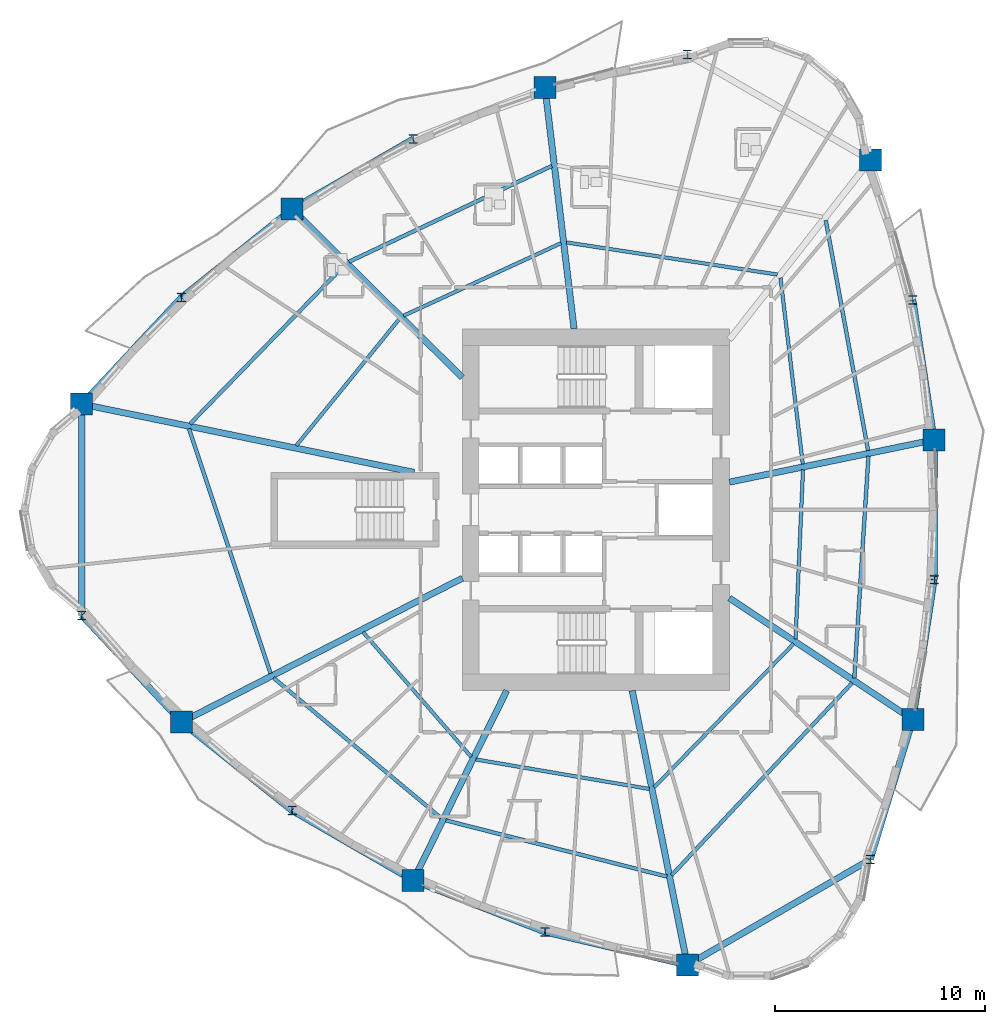
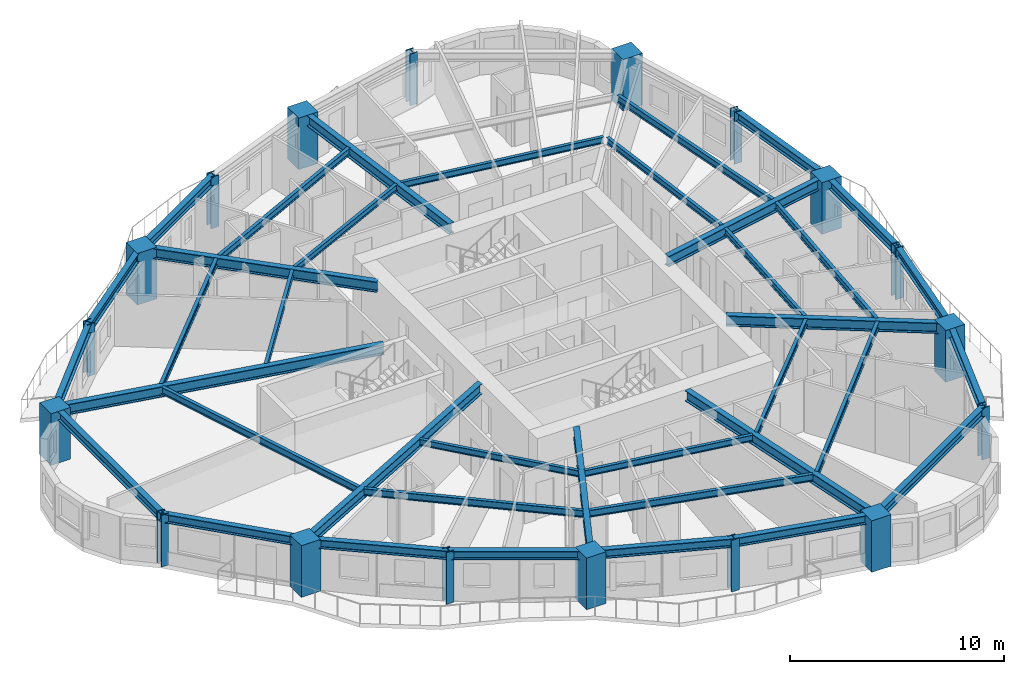
# One storey, part 1 of 14: 38 beams, 18 columns.
"""IFC4 building model written with IfcOpenShell, lengths in metres."""

from ifc_helpers import new_model, si_unit, direction, frame, origin, origin_2d, place, context, subcontext, project, spatial, rectangle, i_section, extrude, source, transform, mapped, material, material_profile, profile_set, type_object, element, save


model = new_model("IFC4")

# Units and contexts
model_context = context("Model", 3, precision=1e-05, world=origin(), true_north=direction((0.0, 1.0)))
body_context = subcontext(model_context, "Body", "Model", "MODEL_VIEW")
ifc_project = project(units=[si_unit("LENGTHUNIT", "METRE"), si_unit("AREAUNIT", "SQUARE_METRE"), si_unit("VOLUMEUNIT", "CUBIC_METRE"), si_unit("PLANEANGLEUNIT", "RADIAN"), si_unit("MASSUNIT", "GRAM", prefix="KILO")], contexts=[model_context])

# Site, building, storey
site_placement = place(None, origin())
site = spatial("IfcSite", under=ifc_project, at=site_placement, CompositionType="ELEMENT")
building_placement = place(site_placement, origin())
building = spatial("IfcBuilding", under=site, at=building_placement, Name="Qafzar Sky-Pleat Residences", CompositionType="ELEMENT")
storey_placement = place(building_placement, frame((0.0, 0.0, 14.199951171875)))
storey = spatial("IfcBuildingStorey", under=building, at=storey_placement, Name="L03", CompositionType="ELEMENT", Elevation=14.199951171875)

# Columns
ifc_material_1 = material(Name="Concrete C60/75", Category="concrete")
ifc_material_profile_1 = material_profile(ifc_material_1, rectangle(XDim=1.050048828125, YDim=1.050048828125, at=origin_2d()), Name="RC 1050x1050")
ifc_profile_set_1 = profile_set([ifc_material_profile_1], Name="Concrete C60/75")
column_type_1 = type_object("IfcColumnType", Name="COL-RC-1050", PredefinedType="COLUMN", material=ifc_profile_set_1)
shared_shape_1 = source(origin(), body_context, "Body", "SweptSolid", [
    extrude(rectangle(XDim=1.050048828125, YDim=1.050048828125, at=origin_2d()), origin(), (0.0, 0.0, 1.0), 2.93994140625),
])
for number, where, z_axis, x_axis, name in (
    (1, (5.89990234375, 31.02294921875, 0.0), (0.0, 0.0, 1.0), (1.0, 0.0, 0.0), "L03 Perimeter Mega Column 1"),
    (2, (10.64892578125, 15.900390625, 0.0), (0.0, 0.0, 1.0), (1.0, 0.0, 0.0), "L03 Perimeter Mega Column 3"),
    (3, (21.66357421875, 8.373779296875, 0.0), (0.0, 0.0, 1.0), (1.0, 0.0, 0.0), "L03 Perimeter Mega Column 5"),
    (4, (34.699951171875, 4.349365234375, 0.0), (0.0, 0.0, 1.0), (1.0, 0.0, 0.0), "L03 Perimeter Mega Column 7"),
    (5, (45.421875, 16.0234375, 0.0), (0.0, 0.0, 1.0), (1.0, 0.0, 0.0), "L03 Perimeter Mega Column 9"),
    (6, (46.432861328125, 29.325439453125, 0.0), (0.0, 0.0, 1.0), (1.0, 0.0, 0.0), "L03 Perimeter Mega Column 11"),
    (7, (43.39990234375, 42.627685546875, 0.0), (0.0, 0.0, 1.0), (1.0, 0.0, 0.0), "L03 Perimeter Mega Column 13"),
    (8, (27.928955078125, 46.076171875, 0.0), (0.0, 0.0, 1.0), (1.0, 0.0, 0.0), "L03 Perimeter Mega Column 15"),
    (9, (15.903564453125, 40.300537109375, 0.0), (0.0, 0.0, 1.0), (1.0, 0.0, 0.0), "L03 Perimeter Mega Column 17"),
):
    element("IfcColumn", number, at=place(storey_placement, frame(where, z_axis=z_axis, x_axis=x_axis)), inside=storey, type_object=column_type_1, Name=name, PredefinedType="COLUMN", context=body_context, shape_type="MappedRepresentation", body=[
        mapped(shared_shape_1, transform((0.0, 0.0, 0.0), x_axis=(1.0, 0.0, 0.0), y_axis=(0.0, 1.0, 0.0), z_axis=(0.0, 0.0, 1.0), scale=1.0)),
    ])
ifc_material_2 = material(Name="Steel S460", Category="steel")
ifc_material_profile_2 = material_profile(ifc_material_2, i_section(OverallWidth=0.408935546875, OverallDepth=0.425048828125, WebThickness=0.030029296875, FlangeThickness=0.048095703125, FilletRadius=0.014892578125, at=origin_2d()), Name="HD 400x421")
ifc_profile_set_2 = profile_set([ifc_material_profile_2], Name="Steel S460")
column_type_2 = type_object("IfcColumnType", Name="COL-STL-HD421", PredefinedType="PILASTER", material=ifc_profile_set_2)
shared_shape_2 = source(origin(), body_context, "Body", "SweptSolid", [
    extrude(i_section(OverallWidth=0.408935546875, OverallDepth=0.425048828125, WebThickness=0.030029296875, FlangeThickness=0.048095703125, FilletRadius=0.014892578125, at=origin_2d()), origin(), (0.0, 0.0, 1.0), 2.93994140625),
])
for number, where, z_axis, x_axis, name in (
    (10, (5.89990234375, 20.97705078125, 0.0), (0.0, 0.0, 1.0), (1.0, 0.0, 0.0), "L03 Perimeter Mega Column 2"),
    (11, (15.903564453125, 11.699462890625, 0.0), (0.0, 0.0, 1.0), (1.0, 0.0, 0.0), "L03 Perimeter Mega Column 4"),
    (12, (27.928955078125, 5.923828125, 0.0), (0.0, 0.0, 1.0), (1.0, 0.0, 0.0), "L03 Perimeter Mega Column 6"),
    (13, (43.39990234375, 9.372314453125, 0.0), (0.0, 0.0, 1.0), (1.0, 0.0, 0.0), "L03 Perimeter Mega Column 8"),
    (14, (46.432861328125, 22.674560546875, 0.0), (0.0, 0.0, 1.0), (1.0, 0.0, 0.0), "L03 Perimeter Mega Column 10"),
    (15, (45.421875, 35.9765625, 0.0), (0.0, 0.0, 1.0), (1.0, 0.0, 0.0), "L03 Perimeter Mega Column 12"),
    (16, (34.699951171875, 47.650634765625, 0.0), (0.0, 0.0, 1.0), (1.0, 0.0, 0.0), "L03 Perimeter Mega Column 14"),
    (17, (21.66357421875, 43.626220703125, 0.0), (0.0, 0.0, 1.0), (1.0, 0.0, 0.0), "L03 Perimeter Mega Column 16"),
    (18, (10.64892578125, 36.099609375, 0.0), (0.0, 0.0, 1.0), (1.0, 0.0, 0.0), "L03 Perimeter Mega Column 18"),
):
    element("IfcColumn", number, at=place(storey_placement, frame(where, z_axis=z_axis, x_axis=x_axis)), inside=storey, type_object=column_type_2, Name=name, PredefinedType="PILASTER", context=body_context, shape_type="MappedRepresentation", body=[
        mapped(shared_shape_2, transform((0.0, 0.0, 0.0), x_axis=(1.0, 0.0, 0.0), y_axis=(0.0, 1.0, 0.0), z_axis=(0.0, 0.0, 1.0), scale=1.0)),
    ])

# Beams
ifc_material_3 = material(Name="Steel S355", Category="steel")
ifc_material_profile_3 = material_profile(ifc_material_3, i_section(OverallWidth=0.300048828125, OverallDepth=0.5, WebThickness=0.014404296875, FlangeThickness=0.028076171875, FilletRadius=0.027099609375, at=origin_2d()), Name="HEB 500")
ifc_profile_set_3 = profile_set([ifc_material_profile_3], Name="Steel S355")
beam_type_1 = type_object("IfcBeamType", Name="BM-SPAN-HEB500", PredefinedType="SPANDREL", material=ifc_profile_set_3)
shared_shape_3 = source(origin(), body_context, "Body", "SweptSolid", [
    extrude(i_section(OverallWidth=0.300048828125, OverallDepth=0.5, WebThickness=0.014404296875, FlangeThickness=0.028076171875, FilletRadius=0.027099609375, at=origin_2d()), origin(), (0.0, 0.0, 1.0), 10.0458984375),
])
for number, where, z_axis, x_axis, name in (
    (19, (5.89990234375, 31.02294921875, 2.68798828125), (0.0, -1.0, 0.0), (1.0, 0.0, 0.0), "L03 Perimeter Spandrel Beam 1"),
    (20, (34.699951171875, 4.349365234375, 2.68798828125), (0.866024107753, 0.500002244785, 0.0), (-0.500002244785, 0.866024107753, 0.0), "L03 Perimeter Spandrel Beam 7"),
):
    element("IfcBeam", number, at=place(storey_placement, frame(where, z_axis=z_axis, x_axis=x_axis)), inside=storey, type_object=beam_type_1, Name=name, PredefinedType="SPANDREL", context=body_context, shape_type="MappedRepresentation", body=[
        mapped(shared_shape_3, transform((0.0, 0.0, 0.0), x_axis=(1.0, 0.0, 0.0), y_axis=(0.0, 1.0, 0.0), z_axis=(0.0, 0.0, 1.0), scale=1.0)),
    ])
shared_shape_4 = source(origin(), body_context, "Body", "SweptSolid", [
    extrude(i_section(OverallWidth=0.300048828125, OverallDepth=0.5, WebThickness=0.014404296875, FlangeThickness=0.028076171875, FilletRadius=0.027099609375, at=origin_2d()), origin(), (0.0, 0.0, 1.0), 6.95166015625),
])
for number, where, z_axis, x_axis, name in (
    (21, (5.89990234375, 20.97705078125, 2.68798828125), (0.683148670375, -0.730279326125, 0.0), (0.730279326125, 0.683148670375, 0.0), "L03 Perimeter Spandrel Beam 2"),
    (22, (27.928955078125, 5.923828125, 2.68798828125), (0.974013973113, -0.226487925024, 0.0), (0.226487925024, 0.974013973113, 0.0), "L03 Perimeter Spandrel Beam 6"),
    (23, (43.39990234375, 9.372314453125, 2.68798828125), (0.290861139852, 0.956765278072, 0.0), (-0.956765278072, 0.290861139852, 0.0), "L03 Perimeter Spandrel Beam 8"),
    (24, (10.64892578125, 36.099609375, 2.68798828125), (-0.683148670375, -0.730279326125, 0.0), (0.730279326125, -0.683148670375, 0.0), "L03 Perimeter Spandrel Beam 18"),
):
    element("IfcBeam", number, at=place(storey_placement, frame(where, z_axis=z_axis, x_axis=x_axis)), inside=storey, type_object=beam_type_1, Name=name, PredefinedType="SPANDREL", context=body_context, shape_type="MappedRepresentation", body=[
        mapped(shared_shape_4, transform((0.0, 0.0, 0.0), x_axis=(1.0, 0.0, 0.0), y_axis=(0.0, 1.0, 0.0), z_axis=(0.0, 0.0, 1.0), scale=1.0)),
    ])
shared_shape_5 = source(origin(), body_context, "Body", "SweptSolid", [
    extrude(i_section(OverallWidth=0.300048828125, OverallDepth=0.5, WebThickness=0.014404296875, FlangeThickness=0.028076171875, FilletRadius=0.027099609375, at=origin_2d()), origin(), (0.0, 0.0, 1.0), 6.7275390625),
])
for number, where, z_axis, x_axis, name in (
    (25, (10.64892578125, 15.900390625, 2.68798828125), (0.781070576736, -0.624442754908, 0.0), (0.624442754908, 0.781070576736, 0.0), "L03 Perimeter Spandrel Beam 3"),
    (26, (45.421875, 16.0234375, 2.68798828125), (0.150276218199, 0.988644050325, 0.0), (-0.988644050325, 0.150276218199, 0.0), "L03 Perimeter Spandrel Beam 9"),
    (27, (46.432861328125, 29.325439453125, 2.68798828125), (-0.150276218199, 0.988644050325, 0.0), (-0.988644050325, -0.150276218199, 0.0), "L03 Perimeter Spandrel Beam 11"),
    (28, (15.903564453125, 40.300537109375, 2.68798828125), (-0.781070576736, -0.624442754908, 0.0), (0.624442754908, -0.781070576736, 0.0), "L03 Perimeter Spandrel Beam 17"),
):
    element("IfcBeam", number, at=place(storey_placement, frame(where, z_axis=z_axis, x_axis=x_axis)), inside=storey, type_object=beam_type_1, Name=name, PredefinedType="SPANDREL", context=body_context, shape_type="MappedRepresentation", body=[
        mapped(shared_shape_5, transform((0.0, 0.0, 0.0), x_axis=(1.0, 0.0, 0.0), y_axis=(0.0, 1.0, 0.0), z_axis=(0.0, 0.0, 1.0), scale=1.0)),
    ])
shared_shape_6 = source(origin(), body_context, "Body", "SweptSolid", [
    extrude(i_section(OverallWidth=0.300048828125, OverallDepth=0.5, WebThickness=0.014404296875, FlangeThickness=0.028076171875, FilletRadius=0.027099609375, at=origin_2d()), origin(), (0.0, 0.0, 1.0), 6.651123046875),
])
for number, where, z_axis, x_axis, name in (
    (29, (15.903564453125, 11.699462890625, 2.68798828125), (0.866016262799, -0.500015832317, 0.0), (0.500015832317, 0.866016262799, 0.0), "L03 Perimeter Spandrel Beam 4"),
    (30, (21.66357421875, 43.626220703125, 2.68798828125), (-0.866016262799, -0.500015832317, 0.0), (0.500015832317, -0.866016262799, 0.0), "L03 Perimeter Spandrel Beam 16"),
):
    element("IfcBeam", number, at=place(storey_placement, frame(where, z_axis=z_axis, x_axis=x_axis)), inside=storey, type_object=beam_type_1, Name=name, PredefinedType="SPANDREL", context=body_context, shape_type="MappedRepresentation", body=[
        mapped(shared_shape_6, transform((0.0, 0.0, 0.0), x_axis=(1.0, 0.0, 0.0), y_axis=(0.0, 1.0, 0.0), z_axis=(0.0, 0.0, 1.0), scale=1.0)),
    ])
shared_shape_7 = source(origin(), body_context, "Body", "SweptSolid", [
    extrude(i_section(OverallWidth=0.300048828125, OverallDepth=0.5, WebThickness=0.014404296875, FlangeThickness=0.028076171875, FilletRadius=0.027099609375, at=origin_2d()), origin(), (0.0, 0.0, 1.0), 6.727294921875),
])
beam_1_placement = place(storey_placement, frame((21.66357421875, 8.373779296875, 2.68798828125), z_axis=(0.931329494162, -0.364177667222, 0.0), x_axis=(0.364177667222, 0.931329494162, 0.0)))
element("IfcBeam", 31, at=beam_1_placement, inside=storey, type_object=beam_type_1, Name="L03 Perimeter Spandrel Beam 5", PredefinedType="SPANDREL", context=body_context, shape_type="MappedRepresentation", body=[
    mapped(shared_shape_7, transform((0.0, 0.0, 0.0), x_axis=(1.0, 0.0, 0.0), y_axis=(0.0, 1.0, 0.0), z_axis=(0.0, 0.0, 1.0), scale=1.0)),
])
shared_shape_8 = source(origin(), body_context, "Body", "SweptSolid", [
    extrude(i_section(OverallWidth=0.300048828125, OverallDepth=0.5, WebThickness=0.014404296875, FlangeThickness=0.028076171875, FilletRadius=0.027099609375, at=origin_2d()), origin(), (0.0, 0.0, 1.0), 6.65087890625),
])
beam_2_placement = place(storey_placement, frame((46.432861328125, 22.674560546875, 2.68798828125), z_axis=(0.0, 1.0, 0.0), x_axis=(-1.0, 0.0, 0.0)))
element("IfcBeam", 32, at=beam_2_placement, inside=storey, type_object=beam_type_1, Name="L03 Perimeter Spandrel Beam 10", PredefinedType="SPANDREL", context=body_context, shape_type="MappedRepresentation", body=[
    mapped(shared_shape_8, transform((0.0, 0.0, 0.0), x_axis=(1.0, 0.0, 0.0), y_axis=(0.0, 1.0, 0.0), z_axis=(0.0, 0.0, 1.0), scale=1.0)),
])
ifc_material_profile_4 = material_profile(ifc_material_3, i_section(OverallWidth=0.300048828125, OverallDepth=0.60009765625, WebThickness=0.015380859375, FlangeThickness=0.030029296875, FilletRadius=0.027099609375, at=origin_2d()), Name="HEB 600")
ifc_profile_set_4 = profile_set([ifc_material_profile_4], Name="Steel S355")
beam_type_2 = type_object("IfcBeamType", Name="BM-GIRD-HEB600", PredefinedType="BEAM", material=ifc_profile_set_4)
shared_shape_9 = source(origin(), body_context, "Body", "SweptSolid", [
    extrude(i_section(OverallWidth=0.300048828125, OverallDepth=0.60009765625, WebThickness=0.015380859375, FlangeThickness=0.030029296875, FilletRadius=0.027099609375, at=origin_2d()), origin(), (0.0, 0.0, 1.0), 16.139892578125),
])
beam_3_placement = place(storey_placement, frame((5.89990234375, 31.02294921875, 2.637939453125), z_axis=(0.9795415771, -0.201241891097, 0.0), x_axis=(0.201241891097, 0.9795415771, 0.0)))
element("IfcBeam", 33, at=beam_3_placement, inside=storey, type_object=beam_type_2, Name="L03 Radial Floor Girder 1", PredefinedType="BEAM", context=body_context, shape_type="MappedRepresentation", body=[
    mapped(shared_shape_9, transform((0.0, 0.0, 0.0), x_axis=(1.0, 0.0, 0.0), y_axis=(0.0, 1.0, 0.0), z_axis=(0.0, 0.0, 1.0), scale=1.0)),
])
shared_shape_10 = source(origin(), body_context, "Body", "SweptSolid", [
    extrude(i_section(OverallWidth=0.300048828125, OverallDepth=0.60009765625, WebThickness=0.015380859375, FlangeThickness=0.030029296875, FilletRadius=0.027099609375, at=origin_2d()), origin(), (0.0, 0.0, 1.0), 15.003173828125),
])
beam_4_placement = place(storey_placement, frame((10.64892578125, 15.900390625, 2.637939453125), z_axis=(0.889884204049, 0.456186478739, 0.0), x_axis=(-0.456186478739, 0.889884204049, 0.0)))
element("IfcBeam", 34, at=beam_4_placement, inside=storey, type_object=beam_type_2, Name="L03 Radial Floor Girder 3", PredefinedType="BEAM", context=body_context, shape_type="MappedRepresentation", body=[
    mapped(shared_shape_10, transform((0.0, 0.0, 0.0), x_axis=(1.0, 0.0, 0.0), y_axis=(0.0, 1.0, 0.0), z_axis=(0.0, 0.0, 1.0), scale=1.0)),
])
shared_shape_11 = source(origin(), body_context, "Body", "SweptSolid", [
    extrude(i_section(OverallWidth=0.300048828125, OverallDepth=0.60009765625, WebThickness=0.015380859375, FlangeThickness=0.030029296875, FilletRadius=0.027099609375, at=origin_2d()), origin(), (0.0, 0.0, 1.0), 10.062744140625),
])
beam_5_placement = place(storey_placement, frame((21.66357421875, 8.373779296875, 2.637939453125), z_axis=(0.442052932292, 0.896988965959, 0.0), x_axis=(-0.896988965959, 0.442052932292, 0.0)))
element("IfcBeam", 35, at=beam_5_placement, inside=storey, type_object=beam_type_2, Name="L03 Radial Floor Girder 5", PredefinedType="BEAM", context=body_context, shape_type="MappedRepresentation", body=[
    mapped(shared_shape_11, transform((0.0, 0.0, 0.0), x_axis=(1.0, 0.0, 0.0), y_axis=(0.0, 1.0, 0.0), z_axis=(0.0, 0.0, 1.0), scale=1.0)),
])
shared_shape_12 = source(origin(), body_context, "Body", "SweptSolid", [
    extrude(i_section(OverallWidth=0.300048828125, OverallDepth=0.60009765625, WebThickness=0.015380859375, FlangeThickness=0.030029296875, FilletRadius=0.027099609375, at=origin_2d()), origin(), (0.0, 0.0, 1.0), 13.311279296875),
])
beam_6_placement = place(storey_placement, frame((34.699951171875, 4.349365234375, 2.637939453125), z_axis=(-0.196980192836, 0.980407468163, 0.0), x_axis=(-0.980407468163, -0.196980192836, 0.0)))
element("IfcBeam", 36, at=beam_6_placement, inside=storey, type_object=beam_type_2, Name="L03 Radial Floor Girder 7", PredefinedType="BEAM", context=body_context, shape_type="MappedRepresentation", body=[
    mapped(shared_shape_12, transform((0.0, 0.0, 0.0), x_axis=(1.0, 0.0, 0.0), y_axis=(0.0, 1.0, 0.0), z_axis=(0.0, 0.0, 1.0), scale=1.0)),
])
shared_shape_13 = source(origin(), body_context, "Body", "SweptSolid", [
    extrude(i_section(OverallWidth=0.300048828125, OverallDepth=0.60009765625, WebThickness=0.015380859375, FlangeThickness=0.030029296875, FilletRadius=0.027099609375, at=origin_2d()), origin(), (0.0, 0.0, 1.0), 10.45947265625),
])
beam_7_placement = place(storey_placement, frame((45.421875, 16.0234375, 2.637939453125), z_axis=(-0.833873592866, 0.551955461175, 0.0), x_axis=(-0.551955461175, -0.833873592866, 0.0)))
element("IfcBeam", 37, at=beam_7_placement, inside=storey, type_object=beam_type_2, Name="L03 Radial Floor Girder 9", PredefinedType="BEAM", context=body_context, shape_type="MappedRepresentation", body=[
    mapped(shared_shape_13, transform((0.0, 0.0, 0.0), x_axis=(1.0, 0.0, 0.0), y_axis=(0.0, 1.0, 0.0), z_axis=(0.0, 0.0, 1.0), scale=1.0)),
])
shared_shape_14 = source(origin(), body_context, "Body", "SweptSolid", [
    extrude(i_section(OverallWidth=0.300048828125, OverallDepth=0.60009765625, WebThickness=0.015380859375, FlangeThickness=0.030029296875, FilletRadius=0.027099609375, at=origin_2d()), origin(), (0.0, 0.0, 1.0), 9.938720703125),
])
beam_8_placement = place(storey_placement, frame((46.432861328125, 29.325439453125, 2.637939453125), z_axis=(-0.979285452618, -0.202484572968, 0.0), x_axis=(0.202484572968, -0.979285452618, 0.0)))
element("IfcBeam", 38, at=beam_8_placement, inside=storey, type_object=beam_type_2, Name="L03 Radial Floor Girder 11", PredefinedType="BEAM", context=body_context, shape_type="MappedRepresentation", body=[
    mapped(shared_shape_14, transform((0.0, 0.0, 0.0), x_axis=(1.0, 0.0, 0.0), y_axis=(0.0, 1.0, 0.0), z_axis=(0.0, 0.0, 1.0), scale=1.0)),
])
shared_shape_15 = source(origin(), body_context, "Body", "SweptSolid", [
    extrude(i_section(OverallWidth=0.300048828125, OverallDepth=0.60009765625, WebThickness=0.015380859375, FlangeThickness=0.030029296875, FilletRadius=0.027099609375, at=origin_2d()), origin(), (0.0, 0.0, 1.0), 11.559326171875),
])
beam_9_placement = place(storey_placement, frame((27.928955078125, 46.076171875, 2.637939453125), z_axis=(0.119734017919, -0.992806005699, 0.0), x_axis=(0.992806005699, 0.119734017919, 0.0)))
element("IfcBeam", 39, at=beam_9_placement, inside=storey, type_object=beam_type_2, Name="L03 Radial Floor Girder 15", PredefinedType="BEAM", context=body_context, shape_type="MappedRepresentation", body=[
    mapped(shared_shape_15, transform((0.0, 0.0, 0.0), x_axis=(1.0, 0.0, 0.0), y_axis=(0.0, 1.0, 0.0), z_axis=(0.0, 0.0, 1.0), scale=1.0)),
])
shared_shape_16 = source(origin(), body_context, "Body", "SweptSolid", [
    extrude(i_section(OverallWidth=0.300048828125, OverallDepth=0.60009765625, WebThickness=0.015380859375, FlangeThickness=0.030029296875, FilletRadius=0.027099609375, at=origin_2d()), origin(), (0.0, 0.0, 1.0), 11.392333984375),
])
beam_10_placement = place(storey_placement, frame((15.903564453125, 40.300537109375, 2.637939453125), z_axis=(0.71068721601, -0.703508124331, 0.0), x_axis=(0.703508124331, 0.71068721601, 0.0)))
element("IfcBeam", 40, at=beam_10_placement, inside=storey, type_object=beam_type_2, Name="L03 Radial Floor Girder 17", PredefinedType="BEAM", context=body_context, shape_type="MappedRepresentation", body=[
    mapped(shared_shape_16, transform((0.0, 0.0, 0.0), x_axis=(1.0, 0.0, 0.0), y_axis=(0.0, 1.0, 0.0), z_axis=(0.0, 0.0, 1.0), scale=1.0)),
])
ifc_material_profile_5 = material_profile(ifc_material_3, i_section(OverallWidth=0.179931640625, OverallDepth=0.39990234375, WebThickness=0.008544921875, FlangeThickness=0.013427734375, FilletRadius=0.02099609375, at=origin_2d()), Name="IPE 400")
ifc_profile_set_5 = profile_set([ifc_material_profile_5], Name="Steel S355")
beam_type_3 = type_object("IfcBeamType", Name="BM-JST-IPE400", PredefinedType="JOIST", material=ifc_profile_set_5)
shared_shape_17 = source(origin(), body_context, "Body", "SweptSolid", [
    extrude(i_section(OverallWidth=0.179931640625, OverallDepth=0.39990234375, WebThickness=0.008544921875, FlangeThickness=0.013427734375, FilletRadius=0.02099609375, at=origin_2d()), origin(), (0.0, 0.0, 1.0), 12.265625),
])
beam_11_placement = place(storey_placement, frame((11.001708984375, 29.85546875, 2.738037109375), z_axis=(0.31608444956, -0.948731058175, 0.0), x_axis=(0.948731058175, 0.31608444956, 0.0)))
element("IfcBeam", 41, at=beam_11_placement, inside=storey, type_object=beam_type_3, Name="L03 Outer Secondary Floor Joist 1", PredefinedType="JOIST", context=body_context, shape_type="MappedRepresentation", body=[
    mapped(shared_shape_17, transform((0.0, 0.0, 0.0), x_axis=(1.0, 0.0, 0.0), y_axis=(0.0, 1.0, 0.0), z_axis=(0.0, 0.0, 1.0), scale=1.0)),
])
shared_shape_18 = source(origin(), body_context, "Body", "SweptSolid", [
    extrude(i_section(OverallWidth=0.179931640625, OverallDepth=0.39990234375, WebThickness=0.008544921875, FlangeThickness=0.013427734375, FilletRadius=0.02099609375, at=origin_2d()), origin(), (0.0, 0.0, 1.0), 10.374267578125),
])
beam_12_placement = place(storey_placement, frame((15.02490234375, 18.00390625, 2.738037109375), z_axis=(0.767132246314, -0.641488984056, 0.0), x_axis=(0.641488984056, 0.767132246314, 0.0)))
element("IfcBeam", 42, at=beam_12_placement, inside=storey, type_object=beam_type_3, Name="L03 Outer Secondary Floor Joist 2", PredefinedType="JOIST", context=body_context, shape_type="MappedRepresentation", body=[
    mapped(shared_shape_18, transform((0.0, 0.0, 0.0), x_axis=(1.0, 0.0, 0.0), y_axis=(0.0, 1.0, 0.0), z_axis=(0.0, 0.0, 1.0), scale=1.0)),
])
shared_shape_19 = source(origin(), body_context, "Body", "SweptSolid", [
    extrude(i_section(OverallWidth=0.179931640625, OverallDepth=0.39990234375, WebThickness=0.008544921875, FlangeThickness=0.013427734375, FilletRadius=0.02099609375, at=origin_2d()), origin(), (0.0, 0.0, 1.0), 10.845703125),
])
beam_13_placement = place(storey_placement, frame((23.218017578125, 11.22900390625, 2.738037109375), z_axis=(0.969220624177, -0.246193788853, 0.0), x_axis=(0.246193788853, 0.969220624177, 0.0)))
element("IfcBeam", 43, at=beam_13_placement, inside=storey, type_object=beam_type_3, Name="L03 Outer Secondary Floor Joist 3", PredefinedType="JOIST", context=body_context, shape_type="MappedRepresentation", body=[
    mapped(shared_shape_19, transform((0.0, 0.0, 0.0), x_axis=(1.0, 0.0, 0.0), y_axis=(0.0, 1.0, 0.0), z_axis=(0.0, 0.0, 1.0), scale=1.0)),
])
shared_shape_20 = source(origin(), body_context, "Body", "SweptSolid", [
    extrude(i_section(OverallWidth=0.179931640625, OverallDepth=0.39990234375, WebThickness=0.008544921875, FlangeThickness=0.013427734375, FilletRadius=0.02099609375, at=origin_2d()), origin(), (0.0, 0.0, 1.0), 12.5458984375),
])
beam_14_placement = place(storey_placement, frame((33.953369140625, 8.6240234375, 2.738037109375), z_axis=(0.684303538681, 0.729197275742, 0.0), x_axis=(-0.729197275742, 0.684303538681, 0.0)))
element("IfcBeam", 44, at=beam_14_placement, inside=storey, type_object=beam_type_3, Name="L03 Outer Secondary Floor Joist 4", PredefinedType="JOIST", context=body_context, shape_type="MappedRepresentation", body=[
    mapped(shared_shape_20, transform((0.0, 0.0, 0.0), x_axis=(1.0, 0.0, 0.0), y_axis=(0.0, 1.0, 0.0), z_axis=(0.0, 0.0, 1.0), scale=1.0)),
])
shared_shape_21 = source(origin(), body_context, "Body", "SweptSolid", [
    extrude(i_section(OverallWidth=0.179931640625, OverallDepth=0.39990234375, WebThickness=0.008544921875, FlangeThickness=0.013427734375, FilletRadius=0.02099609375, at=origin_2d()), origin(), (0.0, 0.0, 1.0), 10.5625),
])
beam_15_placement = place(storey_placement, frame((42.639404296875, 18.005615234375, 2.738037109375), z_axis=(0.063470442406, 0.997983718775, 0.0), x_axis=(-0.997983718775, 0.063470442406, 0.0)))
element("IfcBeam", 45, at=beam_15_placement, inside=storey, type_object=beam_type_3, Name="L03 Outer Secondary Floor Joist 5", PredefinedType="JOIST", context=body_context, shape_type="MappedRepresentation", body=[
    mapped(shared_shape_21, transform((0.0, 0.0, 0.0), x_axis=(1.0, 0.0, 0.0), y_axis=(0.0, 1.0, 0.0), z_axis=(0.0, 0.0, 1.0), scale=1.0)),
])
shared_shape_22 = source(origin(), body_context, "Body", "SweptSolid", [
    extrude(i_section(OverallWidth=0.179931640625, OverallDepth=0.39990234375, WebThickness=0.008544921875, FlangeThickness=0.013427734375, FilletRadius=0.02099609375, at=origin_2d()), origin(), (0.0, 0.0, 1.0), 11.132568359375),
])
beam_16_placement = place(storey_placement, frame((43.2939453125, 28.814208984375, 2.738037109375), z_axis=(-0.180859333008, 0.98350897386, 0.0), x_axis=(-0.98350897386, -0.180859333008, 0.0)))
element("IfcBeam", 46, at=beam_16_placement, inside=storey, type_object=beam_type_3, Name="L03 Outer Secondary Floor Joist 6", PredefinedType="JOIST", context=body_context, shape_type="MappedRepresentation", body=[
    mapped(shared_shape_22, transform((0.0, 0.0, 0.0), x_axis=(1.0, 0.0, 0.0), y_axis=(0.0, 1.0, 0.0), z_axis=(0.0, 0.0, 1.0), scale=1.0)),
])
shared_shape_23 = source(origin(), body_context, "Body", "SweptSolid", [
    extrude(i_section(OverallWidth=0.179931640625, OverallDepth=0.39990234375, WebThickness=0.008544921875, FlangeThickness=0.013427734375, FilletRadius=0.02099609375, at=origin_2d()), origin(), (0.0, 0.0, 1.0), 10.65478515625),
])
beam_17_placement = place(storey_placement, frame((28.249755859375, 42.34619140625, 2.738037109375), z_axis=(-0.904124253409, -0.427269627282, 0.0), x_axis=(0.427269627282, -0.904124253409, 0.0)))
element("IfcBeam", 47, at=beam_17_placement, inside=storey, type_object=beam_type_3, Name="L03 Outer Secondary Floor Joist 8", PredefinedType="JOIST", context=body_context, shape_type="MappedRepresentation", body=[
    mapped(shared_shape_23, transform((0.0, 0.0, 0.0), x_axis=(1.0, 0.0, 0.0), y_axis=(0.0, 1.0, 0.0), z_axis=(0.0, 0.0, 1.0), scale=1.0)),
])
shared_shape_24 = source(origin(), body_context, "Body", "SweptSolid", [
    extrude(i_section(OverallWidth=0.179931640625, OverallDepth=0.39990234375, WebThickness=0.008544921875, FlangeThickness=0.013427734375, FilletRadius=0.02099609375, at=origin_2d()), origin(), (0.0, 0.0, 1.0), 10.541259765625),
])
beam_18_placement = place(storey_placement, frame((18.400390625, 37.63916015625, 2.738037109375), z_axis=(-0.696995374234, -0.717075622439, 0.0), x_axis=(0.717075622439, -0.696995374234, 0.0)))
element("IfcBeam", 48, at=beam_18_placement, inside=storey, type_object=beam_type_3, Name="L03 Outer Secondary Floor Joist 9", PredefinedType="JOIST", context=body_context, shape_type="MappedRepresentation", body=[
    mapped(shared_shape_24, transform((0.0, 0.0, 0.0), x_axis=(1.0, 0.0, 0.0), y_axis=(0.0, 1.0, 0.0), z_axis=(0.0, 0.0, 1.0), scale=1.0)),
])
ifc_material_profile_6 = material_profile(ifc_material_3, i_section(OverallWidth=0.169921875, OverallDepth=0.360107421875, WebThickness=0.008056640625, FlangeThickness=0.0126953125, FilletRadius=0.01806640625, at=origin_2d()), Name="IPE 360")
ifc_profile_set_6 = profile_set([ifc_material_profile_6], Name="Steel S355")
beam_type_4 = type_object("IfcBeamType", Name="BM-JST-IPE360", PredefinedType="JOIST", material=ifc_profile_set_6)
shared_shape_25 = source(origin(), body_context, "Body", "SweptSolid", [
    extrude(i_section(OverallWidth=0.169921875, OverallDepth=0.360107421875, WebThickness=0.008056640625, FlangeThickness=0.0126953125, FilletRadius=0.01806640625, at=origin_2d()), origin(), (0.0, 0.0, 1.0), 7.8447265625),
])
beam_19_placement = place(storey_placement, frame((19.281982421875, 20.1787109375, 2.758056640625), z_axis=(0.655239727484, -0.755421008132, 0.0), x_axis=(0.755421008132, 0.655239727484, 0.0)))
element("IfcBeam", 49, at=beam_19_placement, inside=storey, type_object=beam_type_4, Name="L03 Inner Secondary Floor Joist 2", PredefinedType="JOIST", context=body_context, shape_type="MappedRepresentation", body=[
    mapped(shared_shape_25, transform((0.0, 0.0, 0.0), x_axis=(1.0, 0.0, 0.0), y_axis=(0.0, 1.0, 0.0), z_axis=(0.0, 0.0, 1.0), scale=1.0)),
])
shared_shape_26 = source(origin(), body_context, "Body", "SweptSolid", [
    extrude(i_section(OverallWidth=0.169921875, OverallDepth=0.360107421875, WebThickness=0.008056640625, FlangeThickness=0.0126953125, FilletRadius=0.01806640625, at=origin_2d()), origin(), (0.0, 0.0, 1.0), 8.364013671875),
])
beam_20_placement = place(storey_placement, frame((24.6435546875, 14.1279296875, 2.758056640625), z_axis=(0.985819217753, -0.167810815825, 0.0), x_axis=(0.167810815825, 0.985819217753, 0.0)))
element("IfcBeam", 50, at=beam_20_placement, inside=storey, type_object=beam_type_4, Name="L03 Inner Secondary Floor Joist 3", PredefinedType="JOIST", context=body_context, shape_type="MappedRepresentation", body=[
    mapped(shared_shape_26, transform((0.0, 0.0, 0.0), x_axis=(1.0, 0.0, 0.0), y_axis=(0.0, 1.0, 0.0), z_axis=(0.0, 0.0, 1.0), scale=1.0)),
])
shared_shape_27 = source(origin(), body_context, "Body", "SweptSolid", [
    extrude(i_section(OverallWidth=0.169921875, OverallDepth=0.360107421875, WebThickness=0.008056640625, FlangeThickness=0.0126953125, FilletRadius=0.01806640625, at=origin_2d()), origin(), (0.0, 0.0, 1.0), 9.513671875),
])
beam_21_placement = place(storey_placement, frame((33.115966796875, 12.798583984375, 2.758056640625), z_axis=(0.696884511326, 0.717183364193, 0.0), x_axis=(-0.717183364193, 0.696884511326, 0.0)))
element("IfcBeam", 51, at=beam_21_placement, inside=storey, type_object=beam_type_4, Name="L03 Inner Secondary Floor Joist 4", PredefinedType="JOIST", context=body_context, shape_type="MappedRepresentation", body=[
    mapped(shared_shape_27, transform((0.0, 0.0, 0.0), x_axis=(1.0, 0.0, 0.0), y_axis=(0.0, 1.0, 0.0), z_axis=(0.0, 0.0, 1.0), scale=1.0)),
])
shared_shape_28 = source(origin(), body_context, "Body", "SweptSolid", [
    extrude(i_section(OverallWidth=0.169921875, OverallDepth=0.360107421875, WebThickness=0.008056640625, FlangeThickness=0.0126953125, FilletRadius=0.01806640625, at=origin_2d()), origin(), (0.0, 0.0, 1.0), 8.05712890625),
])
beam_22_placement = place(storey_placement, frame((39.845703125, 19.853271484375, 2.758056640625), z_axis=(0.043725201972, 0.999043596002, 0.0), x_axis=(-0.999043596002, 0.043725201972, 0.0)))
element("IfcBeam", 52, at=beam_22_placement, inside=storey, type_object=beam_type_4, Name="L03 Inner Secondary Floor Joist 5", PredefinedType="JOIST", context=body_context, shape_type="MappedRepresentation", body=[
    mapped(shared_shape_28, transform((0.0, 0.0, 0.0), x_axis=(1.0, 0.0, 0.0), y_axis=(0.0, 1.0, 0.0), z_axis=(0.0, 0.0, 1.0), scale=1.0)),
])
shared_shape_29 = source(origin(), body_context, "Body", "SweptSolid", [
    extrude(i_section(OverallWidth=0.169921875, OverallDepth=0.360107421875, WebThickness=0.008056640625, FlangeThickness=0.0126953125, FilletRadius=0.01806640625, at=origin_2d()), origin(), (0.0, 0.0, 1.0), 8.921875),
])
beam_23_placement = place(storey_placement, frame((40.187744140625, 28.17138671875, 2.758056640625), z_axis=(-0.118789129657, 0.99291950463, 0.0), x_axis=(-0.99291950463, -0.118789129657, 0.0)))
element("IfcBeam", 53, at=beam_23_placement, inside=storey, type_object=beam_type_4, Name="L03 Inner Secondary Floor Joist 6", PredefinedType="JOIST", context=body_context, shape_type="MappedRepresentation", body=[
    mapped(shared_shape_29, transform((0.0, 0.0, 0.0), x_axis=(1.0, 0.0, 0.0), y_axis=(0.0, 1.0, 0.0), z_axis=(0.0, 0.0, 1.0), scale=1.0)),
])
shared_shape_30 = source(origin(), body_context, "Body", "SweptSolid", [
    extrude(i_section(OverallWidth=0.169921875, OverallDepth=0.360107421875, WebThickness=0.008056640625, FlangeThickness=0.0126953125, FilletRadius=0.01806640625, at=origin_2d()), origin(), (0.0, 0.0, 1.0), 10.145751953125),
])
beam_24_placement = place(storey_placement, frame((38.978515625, 37.1845703125, 2.758056640625), z_axis=(-0.988614946875, 0.150467560676, 0.0), x_axis=(-0.150467560676, -0.988614946875, 0.0)))
element("IfcBeam", 54, at=beam_24_placement, inside=storey, type_object=beam_type_4, Name="L03 Inner Secondary Floor Joist 7", PredefinedType="JOIST", context=body_context, shape_type="MappedRepresentation", body=[
    mapped(shared_shape_30, transform((0.0, 0.0, 0.0), x_axis=(1.0, 0.0, 0.0), y_axis=(0.0, 1.0, 0.0), z_axis=(0.0, 0.0, 1.0), scale=1.0)),
])
shared_shape_31 = source(origin(), body_context, "Body", "SweptSolid", [
    extrude(i_section(OverallWidth=0.169921875, OverallDepth=0.360107421875, WebThickness=0.008056640625, FlangeThickness=0.0126953125, FilletRadius=0.01806640625, at=origin_2d()), origin(), (0.0, 0.0, 1.0), 8.23974609375),
])
beam_25_placement = place(storey_placement, frame((28.692138671875, 38.6748046875, 2.758056640625), z_axis=(-0.908291238387, -0.418338411182, 0.0), x_axis=(0.418338411182, -0.908291238387, 0.0)))
element("IfcBeam", 55, at=beam_25_placement, inside=storey, type_object=beam_type_4, Name="L03 Inner Secondary Floor Joist 8", PredefinedType="JOIST", context=body_context, shape_type="MappedRepresentation", body=[
    mapped(shared_shape_31, transform((0.0, 0.0, 0.0), x_axis=(1.0, 0.0, 0.0), y_axis=(0.0, 1.0, 0.0), z_axis=(0.0, 0.0, 1.0), scale=1.0)),
])
shared_shape_32 = source(origin(), body_context, "Body", "SweptSolid", [
    extrude(i_section(OverallWidth=0.169921875, OverallDepth=0.360107421875, WebThickness=0.008056640625, FlangeThickness=0.0126953125, FilletRadius=0.01806640625, at=origin_2d()), origin(), (0.0, 0.0, 1.0), 7.7578125),
])
beam_26_placement = place(storey_placement, frame((21.0, 35.06640625, 2.758056640625), z_axis=(-0.63116706176, -0.775646917192, 0.0), x_axis=(0.775646917192, -0.63116706176, 0.0)))
element("IfcBeam", 56, at=beam_26_placement, inside=storey, type_object=beam_type_4, Name="L03 Inner Secondary Floor Joist 9", PredefinedType="JOIST", context=body_context, shape_type="MappedRepresentation", body=[
    mapped(shared_shape_32, transform((0.0, 0.0, 0.0), x_axis=(1.0, 0.0, 0.0), y_axis=(0.0, 1.0, 0.0), z_axis=(0.0, 0.0, 1.0), scale=1.0)),
])

save(model, "model.ifc")
